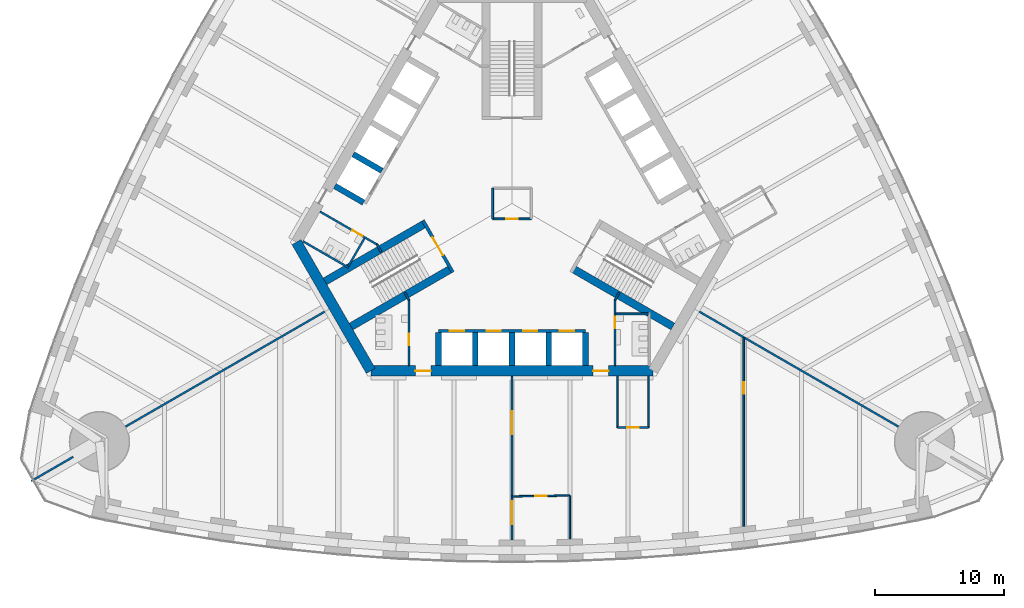
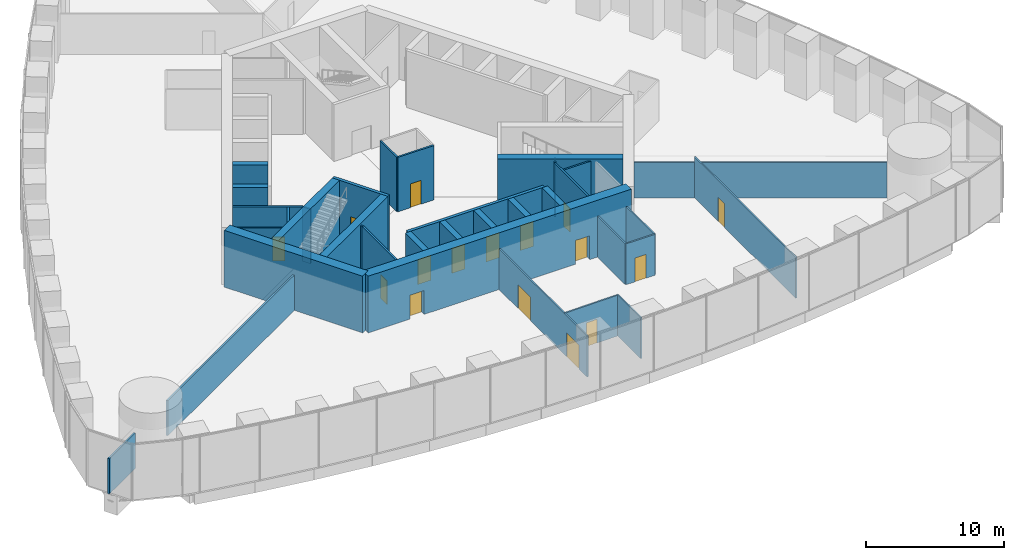
# One storey, part 15 of 21: 35 walls, 16 doors, 16 openings.
"""IFC4 building model written with IfcOpenShell, lengths in metres."""

import ifcopenshell
import ifcopenshell.guid

model = None  # the IFC model being written
_history = None  # IfcOwnerHistory: only IFC2X3 demands one
_inside = {}  # id of a spatial element -> (the spatial element, [elements in it])
_under = {}  # id of a project, library or spatial element -> (it, [spatial elements below it])
_declared = {}  # id of a project -> (the project, [libraries it declares])
_typed = {}  # id of a type object -> (the type object, [elements of that type])
_made_of = {}  # id of a material, layer set ... -> (it, [elements and type objects made of it])


def new_model(schema):
    """Start an empty IFC model of exactly this schema.

    Asked for "IFC4X3", IfcOpenShell would pick the latest addendum, in which some entities
    have other attributes; the version numbers below select the first issue.
    IFC2X3 requires an IfcOwnerHistory on every rooted entity: one is made here for all.
    """
    global model, _history
    if schema == "IFC4X3":
        model = ifcopenshell.file(schema_version=(4, 3, 0, 0))
    else:
        model = ifcopenshell.file(schema=schema)
    _inside.clear()
    _under.clear()
    _declared.clear()
    _typed.clear()
    _made_of.clear()
    _history = None
    if model.schema == "IFC2X3":
        org = make("IfcOrganization", Name="unknown")
        user = make(
            "IfcPersonAndOrganization",
            ThePerson=make("IfcPerson", FamilyName="unknown"),
            TheOrganization=org,
        )
        app = make(
            "IfcApplication",
            ApplicationDeveloper=org,
            Version="unknown",
            ApplicationFullName="unknown",
            ApplicationIdentifier="unknown",
        )
        _history = make(
            "IfcOwnerHistory",
            OwningUser=user,
            OwningApplication=app,
            ChangeAction="ADDED",
            CreationDate=0,
        )
    return model


def make(cls, **values):
    """One entity of the class cls with the attributes given. An attribute that is None is left unset."""
    return model.create_entity(
        cls, **{name: value for name, value in values.items() if value is not None}
    )


def rooted(cls, **values):
    """An entity with a GlobalId (a new one), such as an element, a storey or a relation."""
    return make(cls, GlobalId=ifcopenshell.guid.new(), OwnerHistory=_history, **values)


def si_unit(unit_type, name, prefix=None):
    """IfcSIUnit, for example si_unit("LENGTHUNIT", "METRE", prefix="MILLI")."""
    return make("IfcSIUnit", UnitType=unit_type, Prefix=prefix, Name=name)


def assignment(units):
    """IfcUnitAssignment: the units of a project."""
    return None if units is None else make("IfcUnitAssignment", Units=units)


def point(xyz):
    """IfcCartesianPoint."""
    return None if xyz is None else make("IfcCartesianPoint", Coordinates=xyz)


def direction(xyz):
    """IfcDirection."""
    return None if xyz is None else make("IfcDirection", DirectionRatios=xyz)


def frame(location, z_axis=None, x_axis=None):
    """IfcAxis2Placement3D, a coordinate frame: its origin and axes. An axis left out is left unset."""
    return make(
        "IfcAxis2Placement3D",
        Location=point(location),
        Axis=direction(z_axis),
        RefDirection=direction(x_axis),
    )


def frame_2d(location, x_axis=None):
    """IfcAxis2Placement2D, a coordinate frame in the plane: its origin and x axis."""
    return make(
        "IfcAxis2Placement2D", Location=point(location), RefDirection=direction(x_axis)
    )


def origin():
    """The frame at (0, 0, 0) with its axes left unset."""
    return frame((0.0, 0.0, 0.0))


def place(relative_to, where):
    """IfcLocalPlacement: puts the frame where relative to a parent placement (None: the world)."""
    return make(
        "IfcLocalPlacement", PlacementRelTo=relative_to, RelativePlacement=where
    )


def context(
    kind, dimensions, precision=None, world=None, true_north=None, identifier=None
):
    """IfcGeometricRepresentationContext, for example the 3D "Model" context."""
    return make(
        "IfcGeometricRepresentationContext",
        ContextIdentifier=identifier,
        ContextType=kind,
        CoordinateSpaceDimension=dimensions,
        Precision=precision,
        WorldCoordinateSystem=world,
        TrueNorth=true_north,
    )


def subcontext(parent, identifier, kind, view, scale=None):
    """IfcGeometricRepresentationSubContext, for example "Body" below "Model"."""
    return make(
        "IfcGeometricRepresentationSubContext",
        ContextIdentifier=identifier,
        ContextType=kind,
        ParentContext=parent,
        TargetScale=scale,
        TargetView=view,
    )


def project(units=None, contexts=None):
    """IfcProject with its units and contexts."""
    return rooted(
        "IfcProject",
        Name="project",
        RepresentationContexts=contexts,
        UnitsInContext=assignment(units),
    )


def spatial(cls, under=None, at=None, **own):
    """A site, building, storey or space (cls), placed at a placement, below another one or the project."""
    s = rooted(cls, ObjectPlacement=at, **own)
    if under is not None:
        _under.setdefault(under.id(), (under, []))[1].append(s)
    return s


def profile(cls, at=None, kind="AREA", **sizes):
    """A parametric profile (cls). Its sizes go by their IFC names, for example OverallWidth=200.0."""
    return make(cls, ProfileType=kind, Position=at, **sizes)


def rectangle(**sizes):
    """IfcRectangleProfileDef."""
    return profile("IfcRectangleProfileDef", **sizes)


def extrude(swept, where, along, depth):
    """IfcExtrudedAreaSolid: the profile swept, set in the frame where, extruded along a direction by depth."""
    return make(
        "IfcExtrudedAreaSolid",
        SweptArea=swept,
        Position=where,
        ExtrudedDirection=direction(along),
        Depth=depth,
    )


def shape(context_of_items, identifier, shape_type, items):
    """IfcShapeRepresentation: the items that make up one representation, for example the "Body"."""
    return make(
        "IfcShapeRepresentation",
        ContextOfItems=context_of_items,
        RepresentationIdentifier=identifier,
        RepresentationType=shape_type,
        Items=items,
    )


def material(Name=None, Category=None):
    """IfcMaterial."""
    return make("IfcMaterial", Name=Name, Category=Category)


def layer(
    of_material, thickness, ventilated=None, Name=None, Category=None, Priority=None
):
    """IfcMaterialLayer: one layer of a wall or slab, of a material (None: an air gap)."""
    return make(
        "IfcMaterialLayer",
        Material=of_material,
        LayerThickness=thickness,
        IsVentilated=ventilated,
        Name=Name,
        Category=Category,
        Priority=Priority,
    )


def layer_set(layers, Name=None):
    """IfcMaterialLayerSet."""
    return make("IfcMaterialLayerSet", MaterialLayers=layers, LayerSetName=Name)


def made_of(thing, what):
    """Note that an element or type object is made of a material, layer set ...; save() writes the relation."""
    if what is not None:
        _made_of.setdefault(what.id(), (what, []))[1].append(thing)
    return thing


def type_object(cls, material=None, **own):
    """A type object (cls), such as IfcWallType, which elements share."""
    return made_of(rooted(cls, **own), material)


def element(
    cls,
    number,
    at=None,
    inside=None,
    cuts=None,
    type_object=None,
    material=None,
    context=None,
    identifier="Body",
    shape_type=None,
    held_by="IfcProductDefinitionShape",
    body=None,
    shapes=None,
    **own,
):
    """One element of the class cls, such as IfcWall. Its Tag is "e" and its number.

    at: its placement. inside: the storey or other place that contains it. cuts: it is an
    opening in that element (IfcRelVoidsElement). A single representation is given by context,
    identifier, shape_type and body (its items); several are given by shapes. held_by: the class
    of the entity that holds the representations. save() writes the other relations.
    """
    e = rooted(cls, Tag="e%d" % number, ObjectPlacement=at, **own)
    if body is not None:
        shapes = [shape(context, identifier, shape_type, body)]
    if shapes is not None:
        e.Representation = make(held_by, Representations=shapes)
    if inside is not None:
        _inside.setdefault(inside.id(), (inside, []))[1].append(e)
    if cuts is not None:
        rooted(
            "IfcRelVoidsElement", RelatingBuildingElement=cuts, RelatedOpeningElement=e
        )
    if type_object is not None:
        _typed.setdefault(type_object.id(), (type_object, []))[1].append(e)
    return made_of(e, material)


def fill(opening, filler):
    """IfcRelFillsElement: the door or window that sits in an opening."""
    return rooted(
        "IfcRelFillsElement",
        RelatingOpeningElement=opening,
        RelatedBuildingElement=filler,
    )


def aggregate(whole, parts):
    """IfcRelAggregates: a whole, such as a stair, and the parts it consists of."""
    return rooted("IfcRelAggregates", RelatingObject=whole, RelatedObjects=parts)


def save(model, path):
    """Write the relations noted so far, then the file.

    IfcRelAggregates (storeys below a building ...), IfcRelContainedInSpatialStructure (elements
    in a storey), IfcRelDefinesByType, IfcRelAssociatesMaterial and IfcRelDeclares: one each for
    every whole, place, type object, material and project.
    """
    for whole, parts in _under.values():
        aggregate(whole, parts)
    for where, things in _inside.values():
        rooted(
            "IfcRelContainedInSpatialStructure",
            RelatedElements=things,
            RelatingStructure=where,
        )
    for kind, things in _typed.values():
        rooted("IfcRelDefinesByType", RelatedObjects=things, RelatingType=kind)
    for what, things in _made_of.values():
        rooted("IfcRelAssociatesMaterial", RelatedObjects=things, RelatingMaterial=what)
    for by, libraries in _declared.values():
        rooted("IfcRelDeclares", RelatingContext=by, RelatedDefinitions=libraries)
    model.write(path)


model = new_model("IFC4")

# Units and contexts
model_context = context("Model", 3, precision=1e-05, world=origin(), true_north=direction((0.0, 1.0)))
body_context = subcontext(model_context, "Body", "Model", "MODEL_VIEW")
ifc_project = project(units=[si_unit("LENGTHUNIT", "METRE"), si_unit("AREAUNIT", "SQUARE_METRE"), si_unit("VOLUMEUNIT", "CUBIC_METRE"), si_unit("PLANEANGLEUNIT", "RADIAN"), si_unit("MASSUNIT", "GRAM", prefix="KILO")], contexts=[model_context])

# Site, building, storey
site_placement = place(None, origin())
site = spatial("IfcSite", under=ifc_project, at=site_placement, CompositionType="ELEMENT")
building_placement = place(site_placement, origin())
building = spatial("IfcBuilding", under=site, at=building_placement, Name="Trefoil Bronze Tower", CompositionType="ELEMENT")
storey_placement = place(building_placement, frame((0.0, 0.0, 6.5)))
storey = spatial("IfcBuildingStorey", under=building, at=storey_placement, Name="L01", CompositionType="ELEMENT", Elevation=6.5)

# Wall, openings, doors
ifc_material_1 = material(Name="Concrete B80", Category="concrete")
ifc_layer_1 = layer(ifc_material_1, 0.800048828125)
ifc_layer_set_1 = layer_set([ifc_layer_1], Name="Core wall 800")
wall_type_1 = type_object("IfcWallType", Name="Core wall 800", PredefinedType="SHEAR", material=ifc_layer_set_1)
wall_1_placement = place(storey_placement, frame((-10.9697265625, -13.0, 0.0), z_axis=(0.0, 0.0, 1.0), x_axis=(1.0, 0.0, 0.0)))
wall_1 = element("IfcWall", 1, at=wall_1_placement, inside=storey, type_object=wall_type_1, Name="Core long wall 1 L01", PredefinedType="SHEAR", context=body_context, shape_type="SweptSolid", body=[
    extrude(rectangle(XDim=21.939453125, YDim=0.800048828125, at=frame_2d((10.9697265625, 0.0))), origin(), (0.0, 0.0, 1.0), 5.0),
])
opening_1_placement = place(wall_1_placement, frame((17.269775390625, 0.0, 0.0)))
opening_1 = element("IfcOpeningElement", 2, at=opening_1_placement, cuts=wall_1, Name="Opening D2", PredefinedType="OPENING", context=body_context, shape_type="SweptSolid", body=[
    extrude(rectangle(XDim=1.199951171875, YDim=2.10009765625, at=frame_2d((0.60009765625, 1.050048828125))), frame((0.0, 0.409912109375, 0.0), z_axis=(0.0, -1.0, 0.0), x_axis=(1.0, 0.0, 0.0)), (0.0, 0.0, 1.0), 0.820068359375),
])
opening_2_placement = place(wall_1_placement, frame((3.4697265625, 0.0, 0.0)))
opening_2 = element("IfcOpeningElement", 3, at=opening_2_placement, cuts=wall_1, Name="Opening D2", PredefinedType="OPENING", context=body_context, shape_type="SweptSolid", body=[
    extrude(rectangle(XDim=1.199951171875, YDim=2.10009765625, at=frame_2d((0.60009765625, 1.050048828125))), frame((0.0, 0.409912109375, 0.0), z_axis=(0.0, -1.0, 0.0), x_axis=(1.0, 0.0, 0.0)), (0.0, 0.0, 1.0), 0.820068359375),
])
ifc_material_2 = material(Name="Steel door", Category="steel")
door_type_1 = type_object("IfcDoorType", Name="Lobby door 1200", OperationType="SINGLE_SWING_RIGHT", PredefinedType="DOOR", material=ifc_material_2)
door_1_placement = place(opening_1_placement, origin())
door_1 = element("IfcDoor", 4, at=door_1_placement, inside=storey, type_object=door_type_1, Name="Lobby door F1+ L01", OperationType="SINGLE_SWING_RIGHT", OverallHeight=2.10009765625, OverallWidth=1.199951171875, PredefinedType="DOOR", context=body_context, shape_type="SweptSolid", body=[
    extrude(rectangle(XDim=1.199951171875, YDim=2.10009765625, at=frame_2d((0.60009765625, 1.050048828125))), frame((0.0, 0.02490234375, 0.0), z_axis=(0.0, -1.0, 0.0), x_axis=(1.0, 0.0, 0.0)), (0.0, 0.0, 1.0), 0.050048828125),
])
fill(opening_1, door_1)
door_2_placement = place(opening_2_placement, origin())
door_2 = element("IfcDoor", 5, at=door_2_placement, inside=storey, type_object=door_type_1, Name="Lobby door F1- L01", OperationType="SINGLE_SWING_LEFT", OverallHeight=2.10009765625, OverallWidth=1.199951171875, PredefinedType="DOOR", context=body_context, shape_type="SweptSolid", body=[
    extrude(rectangle(XDim=1.199951171875, YDim=2.10009765625, at=frame_2d((0.60009765625, 1.050048828125))), frame((0.0, 0.02490234375, 0.0), z_axis=(0.0, -1.0, 0.0), x_axis=(1.0, 0.0, 0.0)), (0.0, 0.0, 1.0), 0.050048828125),
])
fill(opening_2, door_2)

# Wall
wall_2_placement = place(storey_placement, frame((-16.7431640625, -3.0, 0.0), z_axis=(0.0, 0.0, 1.0), x_axis=(0.499995765644, -0.866027848477, 0.0)))
element("IfcWall", 6, at=wall_2_placement, inside=storey, type_object=wall_type_1, Name="Core short wall 3 L01", PredefinedType="SHEAR", context=body_context, shape_type="SweptSolid", body=[
    extrude(rectangle(XDim=11.546875, YDim=0.800048828125, at=frame_2d((5.7734375, 0.0))), origin(), (0.0, 0.0, 1.0), 5.0),
])

# Wall, opening, door
ifc_material_3 = material(Name="Glazed partition", Category="glass")
ifc_layer_2 = layer(ifc_material_3, 0.1201171875)
ifc_layer_set_2 = layer_set([ifc_layer_2], Name="Glazed partition 120")
wall_type_2 = type_object("IfcWallType", Name="Glazed partition 120", PredefinedType="PARTITIONING", material=ifc_layer_set_2)
wall_3_placement = place(storey_placement, frame((8.199951171875, -17.39990234375, 0.0), z_axis=(0.0, 0.0, 1.0), x_axis=(1.0, 0.0, 0.0)))
wall_3 = element("IfcWall", 7, at=wall_3_placement, inside=storey, type_object=wall_type_2, Name="Partition F1 L01", PredefinedType="PARTITIONING", context=body_context, shape_type="SweptSolid", body=[
    extrude(rectangle(XDim=2.400146484375, YDim=0.1201171875, at=frame_2d((1.2001953125, 0.0))), origin(), (0.0, 0.0, 1.0), 3.60009765625),
])
opening_3_placement = place(wall_3_placement, frame((0.75, 0.0, 0.0)))
opening_3 = element("IfcOpeningElement", 8, at=opening_3_placement, cuts=wall_3, Name="Opening D8", PredefinedType="OPENING", context=body_context, shape_type="SweptSolid", body=[
    extrude(rectangle(XDim=0.89990234375, YDim=2.10009765625, at=frame_2d((0.449951171875, 1.050048828125))), frame((0.0, 0.070068359375, 0.0), z_axis=(0.0, -1.0, 0.0), x_axis=(1.0, 0.0, 0.0)), (0.0, 0.0, 1.0), 0.14013671875),
])
ifc_material_4 = material(Name="Timber door", Category="wood")
door_type_2 = type_object("IfcDoorType", Name="Office door 900", OperationType="SINGLE_SWING_LEFT", PredefinedType="DOOR", material=ifc_material_4)
door_3_placement = place(opening_3_placement, origin())
door_3 = element("IfcDoor", 9, at=door_3_placement, inside=storey, type_object=door_type_2, Name="Store door F1 L01", OperationType="SINGLE_SWING_LEFT", OverallHeight=2.10009765625, OverallWidth=0.89990234375, PredefinedType="DOOR", context=body_context, shape_type="SweptSolid", body=[
    extrude(rectangle(XDim=0.89990234375, YDim=2.10009765625, at=frame_2d((0.449951171875, 1.050048828125))), frame((0.0, 0.02490234375, 0.0), z_axis=(0.0, -1.0, 0.0), x_axis=(1.0, 0.0, 0.0)), (0.0, 0.0, 1.0), 0.050048828125),
])
fill(opening_3, door_3)

# Walls
for number, where, z_axis, x_axis, name in (
    (10, (10.60009765625, -13.39990234375, 0.0), (0.0, 0.0, 1.0), (0.0, -1.0, 0.0), "Partition F1 L01"),
    (11, (8.199951171875, -13.39990234375, 0.0), (0.0, 0.0, 1.0), (0.0, -1.0, 0.0), "Partition F1 L01"),
):
    element("IfcWall", number, at=place(storey_placement, frame(where, z_axis=z_axis, x_axis=x_axis)), inside=storey, type_object=wall_type_2, Name=name, PredefinedType="PARTITIONING", context=body_context, shape_type="SweptSolid", body=[
        extrude(rectangle(XDim=4.0, YDim=0.1201171875, at=frame_2d((2.0, 0.0))), origin(), (0.0, 0.0, 1.0), 3.60009765625),
    ])

# Wall, opening, door
wall_4_placement = place(storey_placement, frame((0.0, -22.748779296875, 0.0), z_axis=(0.0, 0.0, 1.0), x_axis=(0.999894311967, 0.014538393859, 0.0)))
wall_4 = element("IfcWall", 12, at=wall_4_placement, inside=storey, type_object=wall_type_2, Name="Partition F1 L01", PredefinedType="PARTITIONING", context=body_context, shape_type="SweptSolid", body=[
    extrude(rectangle(XDim=4.50048828125, YDim=0.1201171875, at=frame_2d((2.250244140625, 0.0))), origin(), (0.0, 0.0, 1.0), 3.60009765625),
])
opening_4_placement = place(wall_4_placement, frame((1.800048828125, 0.0, 0.0)))
opening_4 = element("IfcOpeningElement", 13, at=opening_4_placement, cuts=wall_4, Name="Opening D8", PredefinedType="OPENING", context=body_context, shape_type="SweptSolid", body=[
    extrude(rectangle(XDim=0.89990234375, YDim=2.10009765625, at=frame_2d((0.449951171875, 1.050048828125))), frame((0.0, 0.070068359375, 0.0), z_axis=(0.0, -1.0, 0.0), x_axis=(1.0, 0.0, 0.0)), (0.0, 0.0, 1.0), 0.14013671875),
])
door_4_placement = place(opening_4_placement, frame((0.89990234375, 0.0, 0.0), z_axis=(0.0, 0.0, 1.0), x_axis=(-1.0, 0.0, 0.0)))
door_4 = element("IfcDoor", 14, at=door_4_placement, inside=storey, type_object=door_type_2, Name="Cloakroom door F1 L01", OperationType="SINGLE_SWING_RIGHT", OverallHeight=2.10009765625, OverallWidth=0.89990234375, PredefinedType="DOOR", context=body_context, shape_type="SweptSolid", body=[
    extrude(rectangle(XDim=0.89990234375, YDim=2.10009765625, at=frame_2d((0.449951171875, 1.050048828125))), frame((0.0, 0.02490234375, 0.0), z_axis=(0.0, -1.0, 0.0), x_axis=(1.0, 0.0, 0.0)), (0.0, 0.0, 1.0), 0.050048828125),
])
fill(opening_4, door_4)

# Wall, openings, doors
wall_5_placement = place(storey_placement, frame((0.0, -13.419921875, 0.0), z_axis=(0.0, 0.0, 1.0), x_axis=(0.0, -1.0, 0.0)))
wall_5 = element("IfcWall", 15, at=wall_5_placement, inside=storey, type_object=wall_type_2, Name="Partition F1 L01", PredefinedType="PARTITIONING", context=body_context, shape_type="SweptSolid", body=[
    extrude(rectangle(XDim=12.69873046875, YDim=0.1201171875, at=frame_2d((6.349365234375, 0.0))), origin(), (0.0, 0.0, 1.0), 3.60009765625),
])
opening_5_placement = place(wall_5_placement, frame((2.699951171875, 0.0, 0.0)))
opening_5 = element("IfcOpeningElement", 16, at=opening_5_placement, cuts=wall_5, Name="Opening D10", PredefinedType="OPENING", context=body_context, shape_type="SweptSolid", body=[
    extrude(rectangle(XDim=1.800048828125, YDim=2.10009765625, at=frame_2d((0.89990234375, 1.050048828125))), frame((0.0, 0.070068359375, 0.0), z_axis=(0.0, -1.0, 0.0), x_axis=(1.0, 0.0, 0.0)), (0.0, 0.0, 1.0), 0.14013671875),
])
opening_6_placement = place(wall_5_placement, frame((9.699951171875, 0.0, 0.0)))
opening_6 = element("IfcOpeningElement", 17, at=opening_6_placement, cuts=wall_5, Name="Opening D10", PredefinedType="OPENING", context=body_context, shape_type="SweptSolid", body=[
    extrude(rectangle(XDim=1.800048828125, YDim=2.10009765625, at=frame_2d((0.89990234375, 1.050048828125))), frame((0.0, 0.070068359375, 0.0), z_axis=(0.0, -1.0, 0.0), x_axis=(1.0, 0.0, 0.0)), (0.0, 0.0, 1.0), 0.14013671875),
])
ifc_material_5 = material(Name="Timber door", Category="wood")
door_type_3 = type_object("IfcDoorType", Name="Double door 1800", OperationType="DOUBLE_DOOR_SINGLE_SWING", PredefinedType="DOOR", material=ifc_material_5)
door_5_placement = place(opening_5_placement, origin())
door_5 = element("IfcDoor", 18, at=door_5_placement, inside=storey, type_object=door_type_3, Name="Conference hall door F1 L01", OperationType="DOUBLE_DOOR_SINGLE_SWING", OverallHeight=2.10009765625, OverallWidth=1.800048828125, PredefinedType="DOOR", context=body_context, shape_type="SweptSolid", body=[
    extrude(rectangle(XDim=1.800048828125, YDim=2.10009765625, at=frame_2d((0.89990234375, 1.050048828125))), frame((0.0, 0.02490234375, 0.0), z_axis=(0.0, -1.0, 0.0), x_axis=(1.0, 0.0, 0.0)), (0.0, 0.0, 1.0), 0.050048828125),
])
fill(opening_5, door_5)
door_6_placement = place(opening_6_placement, origin())
door_6 = element("IfcDoor", 19, at=door_6_placement, inside=storey, type_object=door_type_3, Name="Conference hall door F1 L01", OperationType="DOUBLE_DOOR_SINGLE_SWING", OverallHeight=2.10009765625, OverallWidth=1.800048828125, PredefinedType="DOOR", context=body_context, shape_type="SweptSolid", body=[
    extrude(rectangle(XDim=1.800048828125, YDim=2.10009765625, at=frame_2d((0.89990234375, 1.050048828125))), frame((0.0, 0.02490234375, 0.0), z_axis=(0.0, -1.0, 0.0), x_axis=(1.0, 0.0, 0.0)), (0.0, 0.0, 1.0), 0.050048828125),
])
fill(opening_6, door_6)

# Wall, opening, door
wall_6_placement = place(storey_placement, frame((18.0, -10.42138671875, 0.0), z_axis=(0.0, 0.0, 1.0), x_axis=(0.0, -1.0, 0.0)))
wall_6 = element("IfcWall", 20, at=wall_6_placement, inside=storey, type_object=wall_type_2, Name="Partition F1 L01", PredefinedType="PARTITIONING", context=body_context, shape_type="SweptSolid", body=[
    extrude(rectangle(XDim=14.63818359375, YDim=0.1201171875, at=frame_2d((7.319091796875, 0.0))), origin(), (0.0, 0.0, 1.0), 3.60009765625),
])
opening_7_placement = place(wall_6_placement, frame((3.449951171875, 0.0, 0.0)))
opening_7 = element("IfcOpeningElement", 21, at=opening_7_placement, cuts=wall_6, Name="Opening D8", PredefinedType="OPENING", context=body_context, shape_type="SweptSolid", body=[
    extrude(rectangle(XDim=0.89990234375, YDim=2.10009765625, at=frame_2d((0.449951171875, 1.050048828125))), frame((0.0, 0.070068359375, 0.0), z_axis=(0.0, -1.0, 0.0), x_axis=(1.0, 0.0, 0.0)), (0.0, 0.0, 1.0), 0.14013671875),
])
door_7_placement = place(opening_7_placement, origin())
door_7 = element("IfcDoor", 22, at=door_7_placement, inside=storey, type_object=door_type_2, Name="Plant room door F1 L01", OperationType="SINGLE_SWING_LEFT", OverallHeight=2.10009765625, OverallWidth=0.89990234375, PredefinedType="DOOR", context=body_context, shape_type="SweptSolid", body=[
    extrude(rectangle(XDim=0.89990234375, YDim=2.10009765625, at=frame_2d((0.449951171875, 1.050048828125))), frame((0.0, 0.02490234375, 0.0), z_axis=(0.0, -1.0, 0.0), x_axis=(1.0, 0.0, 0.0)), (0.0, 0.0, 1.0), 0.050048828125),
])
fill(opening_7, door_7)

# Walls
wall_7_placement = place(storey_placement, frame((4.5, -22.683349609375, 0.0), z_axis=(0.0, 0.0, 1.0), x_axis=(0.0, -1.0, 0.0)))
element("IfcWall", 23, at=wall_7_placement, inside=storey, type_object=wall_type_2, Name="Partition F1 L01", PredefinedType="PARTITIONING", context=body_context, shape_type="SweptSolid", body=[
    extrude(rectangle(XDim=3.369384765625, YDim=0.1201171875, at=frame_2d((1.6845703125, 0.0))), origin(), (0.0, 0.0, 1.0), 3.60009765625),
])
ifc_material_6 = material(Name="Concrete B80", Category="concrete")
ifc_layer_3 = layer(ifc_material_6, 0.449951171875)
ifc_layer_set_3 = layer_set([ifc_layer_3], Name="Outrigger shaft wall 450")
wall_type_3 = type_object("IfcWallType", Name="Outrigger shaft wall 450", PredefinedType="SHEAR", material=ifc_layer_set_3)
for number, where, z_axis, x_axis, name in (
    (24, (-5.699951171875, -10.02490234375, 0.0), (0.0, 0.0, 1.0), (0.0, -1.0, 0.0), "Lift shaft side wall A0 L01"),
    (25, (-2.85009765625, -10.02490234375, 0.0), (0.0, 0.0, 1.0), (0.0, -1.0, 0.0), "Lift shaft side wall A1 L01"),
    (26, (0.0, -10.02490234375, 0.0), (0.0, 0.0, 1.0), (0.0, -1.0, 0.0), "Lift shaft side wall A2 L01"),
    (27, (2.85009765625, -10.02490234375, 0.0), (0.0, 0.0, 1.0), (0.0, -1.0, 0.0), "Lift shaft side wall A3 L01"),
    (28, (5.699951171875, -10.02490234375, 0.0), (0.0, 0.0, 1.0), (0.0, -1.0, 0.0), "Lift shaft side wall A4 L01"),
):
    element("IfcWall", number, at=place(storey_placement, frame(where, z_axis=z_axis, x_axis=x_axis)), inside=storey, type_object=wall_type_3, Name=name, PredefinedType="SHEAR", context=body_context, shape_type="SweptSolid", body=[
        extrude(rectangle(XDim=2.5751953125, YDim=0.449951171875, at=frame_2d((1.28759765625, 0.0))), origin(), (0.0, 0.0, 1.0), 5.0),
    ])
for number, where, z_axis, x_axis, name in (
    (29, (-10.10693359375, 2.54443359375, 0.0), (0.0, 0.0, 1.0), (-0.866046643894, 0.499963209246, 0.0), "Lift shaft side wall C3 L01"),
    (30, (-11.531982421875, 0.076171875, 0.0), (0.0, 0.0, 1.0), (-0.866005588531, 0.500034319456, 0.0), "Lift shaft side wall C4 L01"),
):
    element("IfcWall", number, at=place(storey_placement, frame(where, z_axis=z_axis, x_axis=x_axis)), inside=storey, type_object=wall_type_3, Name=name, PredefinedType="SHEAR", context=body_context, shape_type="SweptSolid", body=[
        extrude(rectangle(XDim=2.574951171875, YDim=0.449951171875, at=frame_2d((1.28759765625, 0.0))), origin(), (0.0, 0.0, 1.0), 5.0),
    ])

# Wall, opening, door
ifc_material_7 = material(Name="Gypsum board on steel studs", Category="steel")
ifc_layer_4 = layer(ifc_material_7, 0.14990234375)
ifc_layer_set_4 = layer_set([ifc_layer_4], Name="Partition 150")
wall_type_4 = type_object("IfcWallType", Name="Partition 150", PredefinedType="PARTITIONING", material=ifc_layer_set_4)
wall_8_placement = place(storey_placement, frame((8.0, -7.5, 0.0), z_axis=(0.0, 0.0, 1.0), x_axis=(0.0, -1.0, 0.0)))
wall_8 = element("IfcWall", 31, at=wall_8_placement, inside=storey, type_object=wall_type_4, Name="Passage wall F1+ L01", PredefinedType="PARTITIONING", context=body_context, shape_type="SweptSolid", body=[
    extrude(rectangle(XDim=5.10009765625, YDim=0.14990234375, at=frame_2d((2.550048828125, 0.0))), origin(), (0.0, 0.0, 1.0), 4.800048828125),
])
opening_8_placement = place(wall_8_placement, frame((1.300048828125, 0.0, 0.0)))
opening_8 = element("IfcOpeningElement", 32, at=opening_8_placement, cuts=wall_8, Name="Opening D3", PredefinedType="OPENING", context=body_context, shape_type="SweptSolid", body=[
    extrude(rectangle(XDim=0.89990234375, YDim=2.10009765625, at=frame_2d((0.449951171875, 1.050048828125))), frame((0.0, 0.0849609375, 0.0), z_axis=(0.0, -1.0, 0.0), x_axis=(1.0, 0.0, 0.0)), (0.0, 0.0, 1.0), 0.169921875),
])
ifc_material_8 = material(Name="Timber door", Category="wood")
door_type_4 = type_object("IfcDoorType", Name="WC door 900", OperationType="SINGLE_SWING_LEFT", PredefinedType="DOOR", material=ifc_material_8)
door_8_placement = place(opening_8_placement, origin())
door_8 = element("IfcDoor", 33, at=door_8_placement, inside=storey, type_object=door_type_4, Name="WC (men) door L01", OperationType="SINGLE_SWING_LEFT", OverallHeight=2.10009765625, OverallWidth=0.89990234375, PredefinedType="DOOR", context=body_context, shape_type="SweptSolid", body=[
    extrude(rectangle(XDim=0.89990234375, YDim=2.10009765625, at=frame_2d((0.449951171875, 1.050048828125))), frame((0.0, 0.02490234375, 0.0), z_axis=(0.0, -1.0, 0.0), x_axis=(1.0, 0.0, 0.0)), (0.0, 0.0, 1.0), 0.050048828125),
])
fill(opening_8, door_8)

wall_9_placement = place(storey_placement, frame((-8.0, -7.5, 0.0), z_axis=(0.0, 0.0, 1.0), x_axis=(0.0, -1.0, 0.0)))
wall_9 = element("IfcWall", 34, at=wall_9_placement, inside=storey, type_object=wall_type_4, Name="Passage wall F1- L01", PredefinedType="PARTITIONING", context=body_context, shape_type="SweptSolid", body=[
    extrude(rectangle(XDim=5.10009765625, YDim=0.14990234375, at=frame_2d((2.550048828125, 0.0))), origin(), (0.0, 0.0, 1.0), 4.800048828125),
])
opening_9_placement = place(wall_9_placement, frame((2.60009765625, 0.0, 0.0)))
opening_9 = element("IfcOpeningElement", 35, at=opening_9_placement, cuts=wall_9, Name="Opening D3", PredefinedType="OPENING", context=body_context, shape_type="SweptSolid", body=[
    extrude(rectangle(XDim=0.89990234375, YDim=2.10009765625, at=frame_2d((0.449951171875, 1.050048828125))), frame((0.0, 0.0849609375, 0.0), z_axis=(0.0, -1.0, 0.0), x_axis=(1.0, 0.0, 0.0)), (0.0, 0.0, 1.0), 0.169921875),
])
door_9_placement = place(opening_9_placement, frame((0.89990234375, 0.0, 0.0), z_axis=(0.0, 0.0, 1.0), x_axis=(-1.0, 0.0, 0.0)))
door_9 = element("IfcDoor", 36, at=door_9_placement, inside=storey, type_object=door_type_4, Name="WC (women) door L01", OperationType="SINGLE_SWING_LEFT", OverallHeight=2.10009765625, OverallWidth=0.89990234375, PredefinedType="DOOR", context=body_context, shape_type="SweptSolid", body=[
    extrude(rectangle(XDim=0.89990234375, YDim=2.10009765625, at=frame_2d((0.449951171875, 1.050048828125))), frame((0.0, 0.02490234375, 0.0), z_axis=(0.0, -1.0, 0.0), x_axis=(1.0, 0.0, 0.0)), (0.0, 0.0, 1.0), 0.050048828125),
])
fill(opening_9, door_9)

wall_10_placement = place(storey_placement, frame((-10.4951171875, -3.17822265625, 0.0), z_axis=(0.0, 0.0, 1.0), x_axis=(-0.86602216432, 0.500005610874, 0.0)))
wall_10 = element("IfcWall", 37, at=wall_10_placement, inside=storey, type_object=wall_type_4, Name="Passage wall F3+ L01", PredefinedType="PARTITIONING", context=body_context, shape_type="SweptSolid", body=[
    extrude(rectangle(XDim=5.10009765625, YDim=0.14990234375, at=frame_2d((2.550048828125, 0.0))), origin(), (0.0, 0.0, 1.0), 4.800048828125),
])
opening_10_placement = place(wall_10_placement, frame((1.300048828125, 0.0, 0.0)))
opening_10 = element("IfcOpeningElement", 38, at=opening_10_placement, cuts=wall_10, Name="Opening D3", PredefinedType="OPENING", context=body_context, shape_type="SweptSolid", body=[
    extrude(rectangle(XDim=0.89990234375, YDim=2.10009765625, at=frame_2d((0.449951171875, 1.050048828125))), frame((0.0, 0.0849609375, 0.0), z_axis=(0.0, -1.0, 0.0), x_axis=(1.0, 0.0, 0.0)), (0.0, 0.0, 1.0), 0.169921875),
])
door_10_placement = place(opening_10_placement, origin())
door_10 = element("IfcDoor", 39, at=door_10_placement, inside=storey, type_object=door_type_4, Name="WC (men) door L01", OperationType="SINGLE_SWING_LEFT", OverallHeight=2.10009765625, OverallWidth=0.89990234375, PredefinedType="DOOR", context=body_context, shape_type="SweptSolid", body=[
    extrude(rectangle(XDim=0.89990234375, YDim=2.10009765625, at=frame_2d((0.449951171875, 1.050048828125))), frame((0.0, 0.02490234375, 0.0), z_axis=(0.0, -1.0, 0.0), x_axis=(1.0, 0.0, 0.0)), (0.0, 0.0, 1.0), 0.050048828125),
])
fill(opening_10, door_10)

# Walls
for number, where, z_axis, x_axis, name in (
    (40, (8.0, -7.5, 0.0), (0.0, 0.0, 1.0), (0.499842556608, 0.866116284689, 0.0), "WC wall ST1-1 L01"),
    (41, (-10.4951171875, -3.17822265625, 0.0), (0.0, 0.0, 1.0), (0.499842556608, -0.866116284689, 0.0), "WC wall ST3-1 L01"),
    (42, (-8.0, -7.5, 0.0), (0.0, 0.0, 1.0), (-0.499842556608, 0.866116284689, 0.0), "WC wall ST3+1 L01"),
):
    element("IfcWall", number, at=place(storey_placement, frame(where, z_axis=z_axis, x_axis=x_axis)), inside=storey, type_object=wall_type_4, Name=name, PredefinedType="PARTITIONING", context=body_context, shape_type="SweptSolid", body=[
        extrude(rectangle(XDim=0.645263671875, YDim=0.14990234375, at=frame_2d((0.32275390625, 0.0))), origin(), (0.0, 0.0, 1.0), 4.800048828125),
    ])
wall_11_placement = place(storey_placement, frame((8.074951171875, -8.574951171875, 0.0), z_axis=(0.0, 0.0, 1.0), x_axis=(1.0, 0.0, 0.0)))
element("IfcWall", 43, at=wall_11_placement, inside=storey, type_object=wall_type_4, Name="WC partition WC (men) L01", PredefinedType="PARTITIONING", context=body_context, shape_type="SweptSolid", body=[
    extrude(rectangle(XDim=2.510009765625, YDim=0.14990234375, at=frame_2d((1.2548828125, 0.0))), origin(), (0.0, 0.0, 1.0), 4.800048828125),
])
wall_12_placement = place(storey_placement, frame((-12.691162109375, -4.98193359375, 0.0), z_axis=(0.0, 0.0, 1.0), x_axis=(-0.8660249478, 0.500000789788, 0.0)))
element("IfcWall", 44, at=wall_12_placement, inside=storey, type_object=wall_type_4, Name="WC partition WC (men) L01", PredefinedType="PARTITIONING", context=body_context, shape_type="SweptSolid", body=[
    extrude(rectangle(XDim=4.10009765625, YDim=0.14990234375, at=frame_2d((2.050048828125, 0.0))), origin(), (0.0, 0.0, 1.0), 4.800048828125),
])
wall_13_placement = place(storey_placement, frame((-11.463623046875, -2.70556640625, 0.0), z_axis=(0.0, 0.0, 1.0), x_axis=(-0.50001992892, -0.866013897511, 0.0)))
element("IfcWall", 45, at=wall_13_placement, inside=storey, type_object=wall_type_4, Name="WC partition WC (men) L01", PredefinedType="PARTITIONING", context=body_context, shape_type="SweptSolid", body=[
    extrude(rectangle(XDim=2.51025390625, YDim=0.14990234375, at=frame_2d((1.255126953125, 0.0))), origin(), (0.0, 0.0, 1.0), 4.800048828125),
])
ifc_material_9 = material(Name="Gypsum board on steel studs", Category="steel")
ifc_layer_5 = layer(ifc_material_9, 0.14990234375)
ifc_layer_set_5 = layer_set([ifc_layer_5], Name="Party wall 150")
wall_type_5 = type_object("IfcWallType", Name="Party wall 150", PredefinedType="PARTITIONING", material=ifc_layer_set_5)
for number, where, z_axis, x_axis, name in (
    (46, (14.202880859375, -8.199951171875, 0.0), (0.0, 0.0, 1.0), (0.866024965723, -0.500000758745, 0.0), "Party wall K1 L01"),
    (47, (-14.202880859375, -8.199951171875, 0.0), (0.0, 0.0, 1.0), (-0.866024965723, -0.500000758745, 0.0), "Party wall K3 L01"),
):
    element("IfcWall", number, at=place(storey_placement, frame(where, z_axis=z_axis, x_axis=x_axis)), inside=storey, type_object=wall_type_5, Name=name, PredefinedType="PARTITIONING", context=body_context, shape_type="SweptSolid", body=[
        extrude(rectangle(XDim=18.25, YDim=0.14990234375, at=frame_2d((9.125, 0.0))), origin(), (0.0, 0.0, 1.0), 3.10009765625),
    ])
wall_14_placement = place(storey_placement, frame((-34.078125, -19.675048828125, 0.0), z_axis=(0.0, 0.0, 1.0), x_axis=(-0.866019247219, -0.500010663332, 0.0)))
element("IfcWall", 48, at=wall_14_placement, inside=storey, type_object=wall_type_5, Name="Party wall K3 L01", PredefinedType="PARTITIONING", context=body_context, shape_type="SweptSolid", body=[
    extrude(rectangle(XDim=3.76416015625, YDim=0.14990234375, at=frame_2d((1.882080078125, 0.0))), origin(), (0.0, 0.0, 1.0), 3.10009765625),
])

# Wall, opening, door
ifc_material_10 = material(Name="Gypsum board on steel studs", Category="steel")
ifc_layer_6 = layer(ifc_material_10, 0.14990234375)
ifc_layer_set_6 = layer_set([ifc_layer_6], Name="Riser wall 150")
wall_type_6 = type_object("IfcWallType", Name="Riser wall 150", PredefinedType="PARTITIONING", material=ifc_layer_set_6)
wall_15_placement = place(storey_placement, frame((-1.5, -1.199951171875, 0.0), z_axis=(0.0, 0.0, 1.0), x_axis=(1.0, 0.0, 0.0)))
wall_15 = element("IfcWall", 49, at=wall_15_placement, inside=storey, type_object=wall_type_6, Name="Riser wall L01", PredefinedType="PARTITIONING", context=body_context, shape_type="SweptSolid", body=[
    extrude(rectangle(XDim=3.0, YDim=0.14990234375, at=frame_2d((1.5, 0.0))), origin(), (0.0, 0.0, 1.0), 4.800048828125),
])
opening_11_placement = place(wall_15_placement, frame((1.050048828125, 0.0, 0.0)))
opening_11 = element("IfcOpeningElement", 50, at=opening_11_placement, cuts=wall_15, Name="Opening D4", PredefinedType="OPENING", context=body_context, shape_type="SweptSolid", body=[
    extrude(rectangle(XDim=0.89990234375, YDim=2.10009765625, at=frame_2d((0.449951171875, 1.050048828125))), frame((0.0, 0.0849609375, 0.0), z_axis=(0.0, -1.0, 0.0), x_axis=(1.0, 0.0, 0.0)), (0.0, 0.0, 1.0), 0.169921875),
])
ifc_material_11 = material(Name="Steel door", Category="steel")
door_type_5 = type_object("IfcDoorType", Name="Riser door 900", OperationType="SINGLE_SWING_LEFT", PredefinedType="DOOR", material=ifc_material_11)
door_11_placement = place(opening_11_placement, frame((0.89990234375, 0.0, 0.0), z_axis=(0.0, 0.0, 1.0), x_axis=(-1.0, 0.0, 0.0)))
door_11 = element("IfcDoor", 51, at=door_11_placement, inside=storey, type_object=door_type_5, Name="Riser door L01", OperationType="SINGLE_SWING_LEFT", OverallHeight=2.10009765625, OverallWidth=0.89990234375, PredefinedType="DOOR", context=body_context, shape_type="SweptSolid", body=[
    extrude(rectangle(XDim=0.89990234375, YDim=2.10009765625, at=frame_2d((0.449951171875, 1.050048828125))), frame((0.0, 0.02490234375, 0.0), z_axis=(0.0, -1.0, 0.0), x_axis=(1.0, 0.0, 0.0)), (0.0, 0.0, 1.0), 0.050048828125),
])
fill(opening_11, door_11)

# Wall
wall_16_placement = place(storey_placement, frame((-1.5, 1.199951171875, 0.0), z_axis=(0.0, 0.0, 1.0), x_axis=(0.0, -1.0, 0.0)))
element("IfcWall", 52, at=wall_16_placement, inside=storey, type_object=wall_type_6, Name="Riser wall L01", PredefinedType="PARTITIONING", context=body_context, shape_type="SweptSolid", body=[
    extrude(rectangle(XDim=2.39990234375, YDim=0.14990234375, at=frame_2d((1.199951171875, 0.0))), origin(), (0.0, 0.0, 1.0), 4.800048828125),
])

# Wall, openings, doors
ifc_material_12 = material(Name="Concrete B80", Category="concrete")
ifc_layer_7 = layer(ifc_material_12, 0.25)
ifc_layer_set_7 = layer_set([ifc_layer_7], Name="Shaft wall 250")
wall_type_7 = type_object("IfcWallType", Name="Shaft wall 250", PredefinedType="SHEAR", material=ifc_layer_set_7)
wall_17_placement = place(storey_placement, frame((-5.699951171875, -9.89990234375, 0.0), z_axis=(0.0, 0.0, 1.0), x_axis=(1.0, 0.0, 0.0)))
wall_17 = element("IfcWall", 53, at=wall_17_placement, inside=storey, type_object=wall_type_7, Name="Lift shaft front wall A L01", PredefinedType="SHEAR", context=body_context, shape_type="SweptSolid", body=[
    extrude(rectangle(XDim=11.39990234375, YDim=0.25, at=frame_2d((5.699951171875, 0.0))), origin(), (0.0, 0.0, 1.0), 5.0),
])
opening_12_placement = place(wall_17_placement, frame((0.875, 0.0, 0.0)))
opening_12 = element("IfcOpeningElement", 54, at=opening_12_placement, cuts=wall_17, Name="Opening LD-P11", PredefinedType="OPENING", context=body_context, shape_type="SweptSolid", body=[
    extrude(rectangle(XDim=1.10009765625, YDim=2.199951171875, at=frame_2d((0.550048828125, 1.10009765625))), frame((0.0, 0.135009765625, 0.0), z_axis=(0.0, -1.0, 0.0), x_axis=(1.0, 0.0, 0.0)), (0.0, 0.0, 1.0), 0.27001953125),
])
opening_13_placement = place(wall_17_placement, frame((3.72509765625, 0.0, 0.0)))
opening_13 = element("IfcOpeningElement", 55, at=opening_13_placement, cuts=wall_17, Name="Opening LD-P12", PredefinedType="OPENING", context=body_context, shape_type="SweptSolid", body=[
    extrude(rectangle(XDim=1.10009765625, YDim=2.199951171875, at=frame_2d((0.550048828125, 1.10009765625))), frame((0.0, 0.135009765625, 0.0), z_axis=(0.0, -1.0, 0.0), x_axis=(1.0, 0.0, 0.0)), (0.0, 0.0, 1.0), 0.27001953125),
])
opening_14_placement = place(wall_17_placement, frame((6.574951171875, 0.0, 0.0)))
opening_14 = element("IfcOpeningElement", 56, at=opening_14_placement, cuts=wall_17, Name="Opening LD-P13", PredefinedType="OPENING", context=body_context, shape_type="SweptSolid", body=[
    extrude(rectangle(XDim=1.10009765625, YDim=2.199951171875, at=frame_2d((0.550048828125, 1.10009765625))), frame((0.0, 0.135009765625, 0.0), z_axis=(0.0, -1.0, 0.0), x_axis=(1.0, 0.0, 0.0)), (0.0, 0.0, 1.0), 0.27001953125),
])
opening_15_placement = place(wall_17_placement, frame((9.425048828125, 0.0, 0.0)))
opening_15 = element("IfcOpeningElement", 57, at=opening_15_placement, cuts=wall_17, Name="Opening LD-P14", PredefinedType="OPENING", context=body_context, shape_type="SweptSolid", body=[
    extrude(rectangle(XDim=1.10009765625, YDim=2.199951171875, at=frame_2d((0.550048828125, 1.10009765625))), frame((0.0, 0.135009765625, 0.0), z_axis=(0.0, -1.0, 0.0), x_axis=(1.0, 0.0, 0.0)), (0.0, 0.0, 1.0), 0.27001953125),
])
ifc_material_13 = material(Name="Steel door", Category="steel")
door_type_6 = type_object("IfcDoorType", Name="Lift landing door 1100", OperationType="DOUBLE_DOOR_SLIDING", PredefinedType="DOOR", material=ifc_material_13)
door_12_placement = place(opening_12_placement, origin())
door_12 = element("IfcDoor", 58, at=door_12_placement, inside=storey, type_object=door_type_6, Name="Lift P11 landing door L01", OperationType="DOUBLE_DOOR_SLIDING", OverallHeight=2.199951171875, OverallWidth=1.10009765625, PredefinedType="DOOR", context=body_context, shape_type="SweptSolid", body=[
    extrude(rectangle(XDim=1.10009765625, YDim=2.199951171875, at=frame_2d((0.550048828125, 1.10009765625))), frame((0.0, 0.02490234375, 0.0), z_axis=(0.0, -1.0, 0.0), x_axis=(1.0, 0.0, 0.0)), (0.0, 0.0, 1.0), 0.050048828125),
])
fill(opening_12, door_12)
door_13_placement = place(opening_13_placement, origin())
door_13 = element("IfcDoor", 59, at=door_13_placement, inside=storey, type_object=door_type_6, Name="Lift P12 landing door L01", OperationType="DOUBLE_DOOR_SLIDING", OverallHeight=2.199951171875, OverallWidth=1.10009765625, PredefinedType="DOOR", context=body_context, shape_type="SweptSolid", body=[
    extrude(rectangle(XDim=1.10009765625, YDim=2.199951171875, at=frame_2d((0.550048828125, 1.10009765625))), frame((0.0, 0.02490234375, 0.0), z_axis=(0.0, -1.0, 0.0), x_axis=(1.0, 0.0, 0.0)), (0.0, 0.0, 1.0), 0.050048828125),
])
fill(opening_13, door_13)
door_14_placement = place(opening_14_placement, origin())
door_14 = element("IfcDoor", 60, at=door_14_placement, inside=storey, type_object=door_type_6, Name="Lift P13 landing door L01", OperationType="DOUBLE_DOOR_SLIDING", OverallHeight=2.199951171875, OverallWidth=1.10009765625, PredefinedType="DOOR", context=body_context, shape_type="SweptSolid", body=[
    extrude(rectangle(XDim=1.10009765625, YDim=2.199951171875, at=frame_2d((0.550048828125, 1.10009765625))), frame((0.0, 0.02490234375, 0.0), z_axis=(0.0, -1.0, 0.0), x_axis=(1.0, 0.0, 0.0)), (0.0, 0.0, 1.0), 0.050048828125),
])
fill(opening_14, door_14)
door_15_placement = place(opening_15_placement, origin())
door_15 = element("IfcDoor", 61, at=door_15_placement, inside=storey, type_object=door_type_6, Name="Lift P14 landing door L01", OperationType="DOUBLE_DOOR_SLIDING", OverallHeight=2.199951171875, OverallWidth=1.10009765625, PredefinedType="DOOR", context=body_context, shape_type="SweptSolid", body=[
    extrude(rectangle(XDim=1.10009765625, YDim=2.199951171875, at=frame_2d((0.550048828125, 1.10009765625))), frame((0.0, 0.02490234375, 0.0), z_axis=(0.0, -1.0, 0.0), x_axis=(1.0, 0.0, 0.0)), (0.0, 0.0, 1.0), 0.050048828125),
])
fill(opening_15, door_15)

# Wall, opening, door
wall_18_placement = place(storey_placement, frame((-6.921630859375, -1.3115234375, 0.0), z_axis=(0.0, 0.0, 1.0), x_axis=(0.499984536904, -0.866034331223, 0.0)))
wall_18 = element("IfcWall", 62, at=wall_18_placement, inside=storey, type_object=wall_type_7, Name="Stair end wall ST3 L01", PredefinedType="SHEAR", context=body_context, shape_type="SweptSolid", body=[
    extrude(rectangle(XDim=4.650146484375, YDim=0.25, at=frame_2d((2.3251953125, 0.0))), origin(), (0.0, 0.0, 1.0), 5.0),
])
opening_16_placement = place(wall_18_placement, frame((1.52490234375, 0.0, 0.0)))
opening_16 = element("IfcOpeningElement", 63, at=opening_16_placement, cuts=wall_18, Name="Opening D1", PredefinedType="OPENING", context=body_context, shape_type="SweptSolid", body=[
    extrude(rectangle(XDim=1.60009765625, YDim=2.10009765625, at=frame_2d((0.800048828125, 1.050048828125))), frame((0.0, 0.135009765625, 0.0), z_axis=(0.0, -1.0, 0.0), x_axis=(1.0, 0.0, 0.0)), (0.0, 0.0, 1.0), 0.27001953125),
])
ifc_material_14 = material(Name="Steel door", Category="steel")
door_type_7 = type_object("IfcDoorType", Name="Stair door 1600", OperationType="DOUBLE_DOOR_SINGLE_SWING", PredefinedType="DOOR", material=ifc_material_14)
door_16_placement = place(opening_16_placement, frame((1.60009765625, 0.0, 0.0), z_axis=(0.0, 0.0, 1.0), x_axis=(-1.0, 0.0, 0.0)))
door_16 = element("IfcDoor", 64, at=door_16_placement, inside=storey, type_object=door_type_7, Name="Stair door ST3 L01", OperationType="DOUBLE_DOOR_SINGLE_SWING", OverallHeight=2.10009765625, OverallWidth=1.60009765625, PredefinedType="DOOR", context=body_context, shape_type="SweptSolid", body=[
    extrude(rectangle(XDim=1.60009765625, YDim=2.10009765625, at=frame_2d((0.800048828125, 1.050048828125))), frame((0.0, 0.02490234375, 0.0), z_axis=(0.0, -1.0, 0.0), x_axis=(1.0, 0.0, 0.0)), (0.0, 0.0, 1.0), 0.050048828125),
])
fill(opening_16, door_16)

# Walls
ifc_material_15 = material(Name="Concrete B80", Category="concrete")
ifc_layer_8 = layer(ifc_material_15, 0.60009765625)
ifc_layer_set_8 = layer_set([ifc_layer_8], Name="Stair wall 600")
wall_type_8 = type_object("IfcWallType", Name="Stair wall 600", PredefinedType="SHEAR", material=ifc_layer_set_8)
for number, where, z_axis, x_axis, name in (
    (65, (4.638427734375, -5.01611328125, 0.0), (0.0, 0.0, 1.0), (0.866019375473, -0.500010441196, 0.0), "Stair wall ST1 L01"),
    (66, (-6.663330078125, -1.5087890625, 0.0), (0.0, 0.0, 1.0), (-0.866019375473, -0.500010441196, 0.0), "Stair wall ST3 L01"),
    (67, (-4.638427734375, -5.01611328125, 0.0), (0.0, 0.0, 1.0), (-0.866019375473, -0.500010441196, 0.0), "Stair wall ST3 L01"),
):
    element("IfcWall", number, at=place(storey_placement, frame(where, z_axis=z_axis, x_axis=x_axis)), inside=storey, type_object=wall_type_8, Name=name, PredefinedType="SHEAR", context=body_context, shape_type="SweptSolid", body=[
        extrude(rectangle(XDim=9.074951171875, YDim=0.60009765625, at=frame_2d((4.53759765625, 0.0))), origin(), (0.0, 0.0, 1.0), 5.0),
    ])

save(model, "model.ifc")
